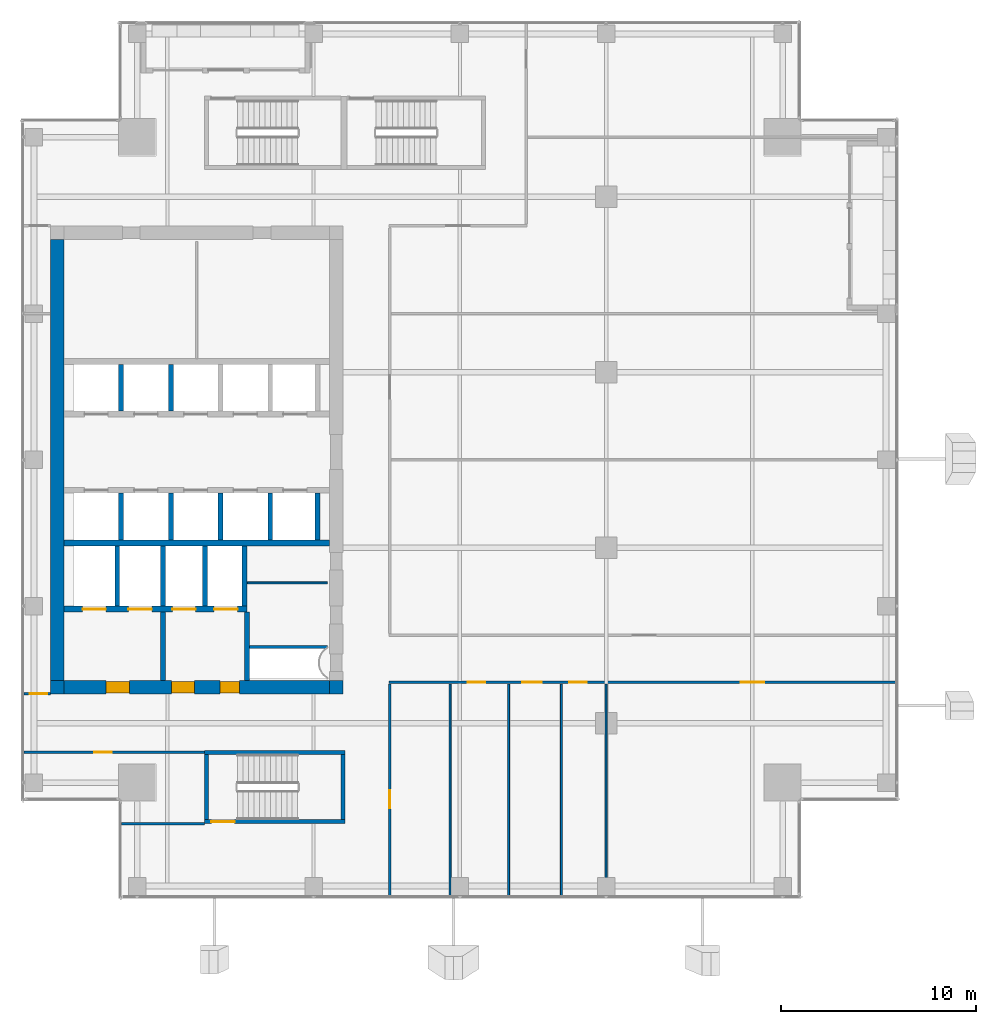
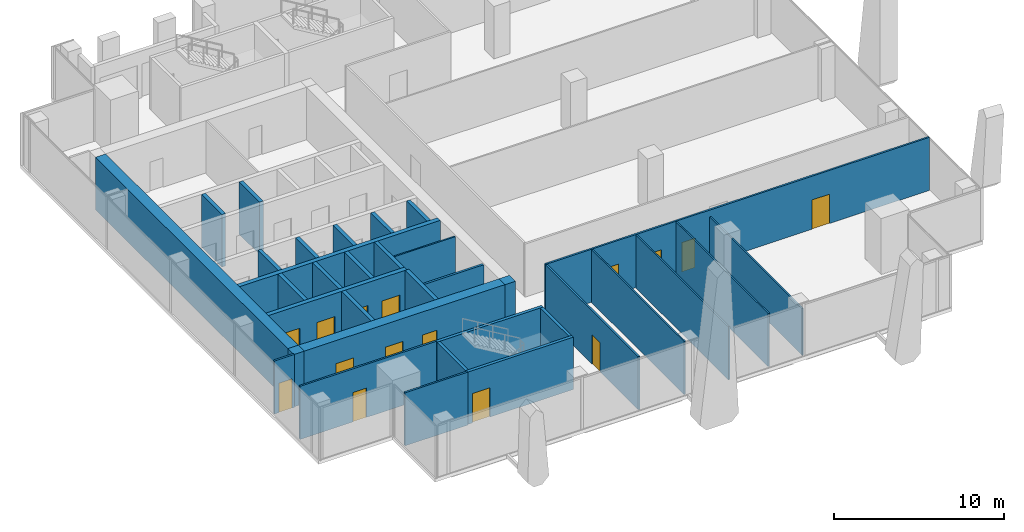
# One storey, part 30 of 35: 34 walls, 15 doors, 15 openings.
"""IFC4 building model written with IfcOpenShell, lengths in metres."""

from ifc_helpers import new_model, si_unit, direction, frame, frame_2d, origin, place, context, subcontext, project, spatial, rectangle, extrude, source, transform, mapped, material, layer, layer_set, type_object, element, fill, save


model = new_model("IFC4")

# Units and contexts
model_context = context("Model", 3, precision=1e-05, world=origin(), true_north=direction((0.0, 1.0)))
body_context = subcontext(model_context, "Body", "Model", "MODEL_VIEW")
ifc_project = project(units=[si_unit("LENGTHUNIT", "METRE"), si_unit("AREAUNIT", "SQUARE_METRE"), si_unit("VOLUMEUNIT", "CUBIC_METRE"), si_unit("PLANEANGLEUNIT", "RADIAN"), si_unit("MASSUNIT", "GRAM", prefix="KILO")], contexts=[model_context])

# Site, building, storey
site_placement = place(None, origin())
site = spatial("IfcSite", under=ifc_project, at=site_placement, CompositionType="ELEMENT")
building_placement = place(site_placement, origin())
building = spatial("IfcBuilding", under=site, at=building_placement, Name="Khomas Fold Tower", CompositionType="ELEMENT")
storey_placement = place(building_placement, frame((0.0, 0.0, 250.199951171875)))
storey = spatial("IfcBuildingStorey", under=building, at=storey_placement, Name="L56", CompositionType="ELEMENT", Elevation=250.199951171875)

# Wall
ifc_material_1 = material(Name="Concrete C50/60", Category="concrete")
ifc_layer_1 = layer(ifc_material_1, 0.199951171875)
ifc_layer_set_1 = layer_set([ifc_layer_1], Name="Concrete C50/60")
wall_type_1 = type_object("IfcWallType", Name="Stair wall 200", PredefinedType="SHEAR", material=ifc_layer_set_1)
shared_shape_1 = source(origin(), body_context, "Body", "SweptSolid", [
    extrude(rectangle(XDim=7.2001953125, YDim=0.199951171875, at=frame_2d((3.60009765625, 0.0))), origin(), (0.0, 0.0, 1.0), 3.75),
])
wall_1_placement = place(storey_placement, frame((13.89990234375, 12.0, 0.0), z_axis=(0.0, 0.0, 1.0), x_axis=(1.0, 0.0, 0.0)))
element("IfcWall", 1, at=wall_1_placement, inside=storey, type_object=wall_type_1, Name="Stair wall SW-ST2-NH", PredefinedType="SHEAR", context=body_context, shape_type="MappedRepresentation", body=[
    mapped(shared_shape_1, transform((0.0, 0.0, 0.0))),
])

# Wall, opening, door
wall_2_placement = place(storey_placement, frame((13.89990234375, 8.449951171875, 0.0), z_axis=(0.0, 0.0, 1.0), x_axis=(1.0, 0.0, 0.0)))
wall_2 = element("IfcWall", 2, at=wall_2_placement, inside=storey, type_object=wall_type_1, Name="Stair wall SW-ST2-S", PredefinedType="SHEAR", context=body_context, shape_type="MappedRepresentation", body=[
    mapped(shared_shape_1, transform((0.0, 0.0, 0.0))),
])
shared_shape_2 = source(origin(), body_context, "Body", "SweptSolid", [
    extrude(rectangle(XDim=1.199951171875, YDim=2.10009765625, at=frame_2d((0.60009765625, 1.050048828125))), frame((0.0, 0.10986328125, 0.0), z_axis=(0.0, -1.0, 0.0), x_axis=(1.0, 0.0, 0.0)), (0.0, 0.0, 1.0), 0.219970703125),
])
opening_1_placement = place(wall_2_placement, frame((0.35009765625, 0.0, 0.0)))
opening_1 = element("IfcOpeningElement", 3, at=opening_1_placement, cuts=wall_2, Name="Opening SD-ST2", PredefinedType="OPENING", context=body_context, shape_type="MappedRepresentation", body=[
    mapped(shared_shape_2, transform((0.0, 0.0, 0.0))),
])
ifc_material_2 = material(Name="Steel door leaf", Category="steel")
door_type_1 = type_object("IfcDoorType", Name="Stair door 1200x2100 right-hand", OperationType="SINGLE_SWING_RIGHT", PredefinedType="DOOR", material=ifc_material_2)
shared_shape_3 = source(origin(), body_context, "Body", "SweptSolid", [
    extrude(rectangle(XDim=1.199951171875, YDim=2.10009765625, at=frame_2d((0.60009765625, 1.050048828125))), frame((0.0, 0.02490234375, 0.0), z_axis=(0.0, -1.0, 0.0), x_axis=(1.0, 0.0, 0.0)), (0.0, 0.0, 1.0), 0.050048828125),
])
door_1_placement = place(opening_1_placement, origin())
door_1 = element("IfcDoor", 4, at=door_1_placement, inside=storey, type_object=door_type_1, Name="Stair door", OperationType="SINGLE_SWING_RIGHT", OverallHeight=2.10009765625, OverallWidth=1.199951171875, PredefinedType="DOOR", context=body_context, shape_type="MappedRepresentation", body=[
    mapped(shared_shape_3, transform((0.0, 0.0, 0.0))),
])
fill(opening_1, door_1)

# Walls
shared_shape_4 = source(origin(), body_context, "Body", "SweptSolid", [
    extrude(rectangle(XDim=3.349853515625, YDim=0.199951171875, at=frame_2d((1.6748046875, 0.0))), origin(), (0.0, 0.0, 1.0), 3.75),
])
for number, where, z_axis, x_axis, name in (
    (5, (21.0, 8.550048828125, 0.0), (0.0, 0.0, 1.0), (0.0, 1.0, 0.0), "Stair wall SW-ST2-E"),
    (6, (14.0, 8.550048828125, 0.0), (0.0, 0.0, 1.0), (0.0, 1.0, 0.0), "Stair wall SW-ST2-W"),
):
    element("IfcWall", number, at=place(storey_placement, frame(where, z_axis=z_axis, x_axis=x_axis)), inside=storey, type_object=wall_type_1, Name=name, PredefinedType="SHEAR", context=body_context, shape_type="MappedRepresentation", body=[
        mapped(shared_shape_4, transform((0.0, 0.0, 0.0))),
    ])
ifc_material_3 = material(Name="Concrete C50/60", Category="concrete")
ifc_layer_2 = layer(ifc_material_3, 0.25)
ifc_layer_set_2 = layer_set([ifc_layer_2], Name="Concrete C50/60")
wall_type_2 = type_object("IfcWallType", Name="Shaft wall 250", PredefinedType="STANDARD", material=ifc_layer_set_2)
shared_shape_5 = source(origin(), body_context, "Body", "SweptSolid", [
    extrude(rectangle(XDim=3.10009765625, YDim=0.25, at=frame_2d((1.550048828125, 0.0))), origin(), (0.0, 0.0, 1.0), 3.75),
])
for number, where, z_axis, x_axis, name in (
    (7, (9.425048828125, 19.5, 0.0), (0.0, 0.0, 1.0), (0.0, 1.0, 0.0), "Core wall SW-FS-P1"),
    (8, (11.77490234375, 19.5, 0.0), (0.0, 0.0, 1.0), (0.0, 1.0, 0.0), "Core wall SW-FS-P2"),
    (9, (13.925048828125, 19.5, 0.0), (0.0, 0.0, 1.0), (0.0, 1.0, 0.0), "Core wall SW-FS-P3"),
    (10, (15.949951171875, 19.5, 0.0), (0.0, 0.0, 1.0), (0.0, 1.0, 0.0), "Core wall SW-FS-PE"),
):
    element("IfcWall", number, at=place(storey_placement, frame(where, z_axis=z_axis, x_axis=x_axis)), inside=storey, type_object=wall_type_2, Name=name, PredefinedType="STANDARD", context=body_context, shape_type="MappedRepresentation", body=[
        mapped(shared_shape_5, transform((0.0, 0.0, 0.0))),
    ])
shared_shape_6 = source(origin(), body_context, "Body", "SweptSolid", [
    extrude(rectangle(XDim=2.39990234375, YDim=0.25, at=frame_2d((1.199951171875, 0.0))), origin(), (0.0, 0.0, 1.0), 3.75),
])
for number, where, z_axis, x_axis, name in (
    (11, (9.625, 29.5, 0.0), (0.0, 0.0, 1.0), (0.0, 1.0, 0.0), "Core wall SW-HRN-P1"),
    (12, (12.175048828125, 29.5, 0.0), (0.0, 0.0, 1.0), (0.0, 1.0, 0.0), "Core wall SW-HRN-P2"),
):
    element("IfcWall", number, at=place(storey_placement, frame(where, z_axis=z_axis, x_axis=x_axis)), inside=storey, type_object=wall_type_2, Name=name, PredefinedType="STANDARD", context=body_context, shape_type="MappedRepresentation", body=[
        mapped(shared_shape_6, transform((0.0, 0.0, 0.0))),
    ])
shared_shape_7 = source(origin(), body_context, "Body", "SweptSolid", [
    extrude(rectangle(XDim=2.400146484375, YDim=0.25, at=frame_2d((1.2001953125, 0.0))), origin(), (0.0, 0.0, 1.0), 3.75),
])
for number, where, z_axis, x_axis, name in (
    (13, (17.27490234375, 22.89990234375, 0.0), (0.0, 0.0, 1.0), (0.0, 1.0, 0.0), "Core wall SW-HRS-MR-P1"),
    (14, (19.699951171875, 22.89990234375, 0.0), (0.0, 0.0, 1.0), (0.0, 1.0, 0.0), "Core wall SW-HRS-MR-PE"),
    (15, (9.625, 22.89990234375, 0.0), (0.0, 0.0, 1.0), (0.0, 1.0, 0.0), "Core wall SW-HRS-P1"),
    (16, (12.175048828125, 22.89990234375, 0.0), (0.0, 0.0, 1.0), (0.0, 1.0, 0.0), "Core wall SW-HRS-P2"),
    (17, (14.72509765625, 22.89990234375, 0.0), (0.0, 0.0, 1.0), (0.0, 1.0, 0.0), "Core wall SW-HRS-PE"),
):
    element("IfcWall", number, at=place(storey_placement, frame(where, z_axis=z_axis, x_axis=x_axis)), inside=storey, type_object=wall_type_2, Name=name, PredefinedType="STANDARD", context=body_context, shape_type="MappedRepresentation", body=[
        mapped(shared_shape_7, transform((0.0, 0.0, 0.0))),
    ])

# Wall, openings, doors
ifc_material_4 = material(Name="Concrete C60/75", Category="concrete")
ifc_layer_3 = layer(ifc_material_4, 0.699951171875)
ifc_layer_set_3 = layer_set([ifc_layer_3], Name="Concrete C60/75")
wall_type_3 = type_object("IfcWallType", Name="Core wall 700", PredefinedType="SHEAR", material=ifc_layer_set_3)
shared_shape_8 = source(origin(), body_context, "Body", "SweptSolid", [
    extrude(rectangle(XDim=13.60009765625, YDim=0.699951171875, at=frame_2d((6.800048828125, 0.0))), origin(), (0.0, 0.0, 1.0), 3.75),
])
wall_3_placement = place(storey_placement, frame((6.699951171875, 15.35009765625, 0.0), z_axis=(0.0, 0.0, 1.0), x_axis=(1.0, 0.0, 0.0)))
wall_3 = element("IfcWall", 18, at=wall_3_placement, inside=storey, type_object=wall_type_3, Name="Core wall CW-U-S-L49", PredefinedType="SHEAR", context=body_context, shape_type="MappedRepresentation", body=[
    mapped(shared_shape_8, transform((0.0, 0.0, 0.0))),
])
shared_shape_9 = source(origin(), body_context, "Body", "SweptSolid", [
    extrude(rectangle(XDim=1.199951171875, YDim=2.10009765625, at=frame_2d((0.60009765625, 1.050048828125))), frame((0.0, 0.35986328125, 0.0), z_axis=(0.0, -1.0, 0.0), x_axis=(1.0, 0.0, 0.0)), (0.0, 0.0, 1.0), 0.719970703125),
])
opening_2_placement = place(wall_3_placement, frame((5.5, 0.0, 0.0)))
opening_2 = element("IfcOpeningElement", 19, at=opening_2_placement, cuts=wall_3, Name="Opening 0009", PredefinedType="OPENING", context=body_context, shape_type="MappedRepresentation", body=[
    mapped(shared_shape_9, transform((0.0, 0.0, 0.0))),
])
opening_3_placement = place(wall_3_placement, frame((2.14990234375, 0.0, 0.0)))
opening_3 = element("IfcOpeningElement", 20, at=opening_3_placement, cuts=wall_3, Name="Opening 0009", PredefinedType="OPENING", context=body_context, shape_type="MappedRepresentation", body=[
    mapped(shared_shape_9, transform((0.0, 0.0, 0.0))),
])
shared_shape_10 = source(origin(), body_context, "Body", "SweptSolid", [
    extrude(rectangle(XDim=1.0, YDim=2.10009765625, at=frame_2d((0.5, 1.050048828125))), frame((0.0, 0.35986328125, 0.0), z_axis=(0.0, -1.0, 0.0), x_axis=(1.0, 0.0, 0.0)), (0.0, 0.0, 1.0), 0.719970703125),
])
opening_4_placement = place(wall_3_placement, frame((8.0, 0.0, 0.0)))
opening_4 = element("IfcOpeningElement", 21, at=opening_4_placement, cuts=wall_3, Name="Opening 0010", PredefinedType="OPENING", context=body_context, shape_type="MappedRepresentation", body=[
    mapped(shared_shape_10, transform((0.0, 0.0, 0.0))),
])
ifc_material_5 = material(Name="Steel door leaf", Category="steel")
door_type_2 = type_object("IfcDoorType", Name="Lobby door 1200x2100 right-hand", OperationType="SINGLE_SWING_RIGHT", PredefinedType="DOOR", material=ifc_material_5)
shared_shape_11 = source(origin(), body_context, "Body", "SweptSolid", [
    extrude(rectangle(XDim=1.199951171875, YDim=2.10009765625, at=frame_2d((0.60009765625, 1.050048828125))), frame((0.0, 0.2998046875, 0.0), z_axis=(0.0, -1.0, 0.0), x_axis=(1.0, 0.0, 0.0)), (0.0, 0.0, 1.0), 0.599853515625),
])
door_2_placement = place(opening_2_placement, origin())
door_2 = element("IfcDoor", 22, at=door_2_placement, inside=storey, type_object=door_type_2, Name="Lobby door", OperationType="SINGLE_SWING_RIGHT", OverallHeight=2.10009765625, OverallWidth=1.199951171875, PredefinedType="DOOR", context=body_context, shape_type="MappedRepresentation", body=[
    mapped(shared_shape_11, transform((0.0, 0.0, 0.0))),
])
fill(opening_2, door_2)
door_3_placement = place(opening_3_placement, origin())
door_3 = element("IfcDoor", 23, at=door_3_placement, inside=storey, type_object=door_type_2, Name="Lobby door", OperationType="SINGLE_SWING_RIGHT", OverallHeight=2.10009765625, OverallWidth=1.199951171875, PredefinedType="DOOR", context=body_context, shape_type="MappedRepresentation", body=[
    mapped(shared_shape_11, transform((0.0, 0.0, 0.0))),
])
fill(opening_3, door_3)
ifc_material_6 = material(Name="Steel door leaf", Category="steel")
door_type_3 = type_object("IfcDoorType", Name="Stair door 1000x2100 right-hand", OperationType="SINGLE_SWING_RIGHT", PredefinedType="DOOR", material=ifc_material_6)
shared_shape_12 = source(origin(), body_context, "Body", "SweptSolid", [
    extrude(rectangle(XDim=1.0, YDim=2.10009765625, at=frame_2d((0.5, 1.050048828125))), frame((0.0, 0.2998046875, 0.0), z_axis=(0.0, -1.0, 0.0), x_axis=(1.0, 0.0, 0.0)), (0.0, 0.0, 1.0), 0.599853515625),
])
door_4_placement = place(opening_4_placement, origin())
door_4 = element("IfcDoor", 24, at=door_4_placement, inside=storey, type_object=door_type_3, Name="Stair door", OperationType="SINGLE_SWING_RIGHT", OverallHeight=2.10009765625, OverallWidth=1.0, PredefinedType="DOOR", context=body_context, shape_type="MappedRepresentation", body=[
    mapped(shared_shape_12, transform((0.0, 0.0, 0.0))),
])
fill(opening_4, door_4)

# Walls
ifc_material_7 = material(Name="Concrete C60/75", Category="concrete")
ifc_layer_4 = layer(ifc_material_7, 0.699951171875)
ifc_layer_set_4 = layer_set([ifc_layer_4], Name="Concrete C60/75")
wall_type_4 = type_object("IfcWallType", Name="Core corner wall 700", PredefinedType="SHEAR", material=ifc_layer_set_4)
shared_shape_13 = source(origin(), body_context, "Body", "SweptSolid", [
    extrude(rectangle(XDim=0.699951171875, YDim=0.699951171875, at=frame_2d((0.35009765625, 0.0))), origin(), (0.0, 0.0, 1.0), 3.75),
])
for number, where, z_axis, x_axis, name in (
    (25, (20.300048828125, 15.35009765625, 0.0), (0.0, 0.0, 1.0), (1.0, 0.0, 0.0), "Core wall CW-U-SE-L49"),
    (26, (6.0, 15.35009765625, 0.0), (0.0, 0.0, 1.0), (1.0, 0.0, 0.0), "Core wall CW-U-SW-L49"),
):
    element("IfcWall", number, at=place(storey_placement, frame(where, z_axis=z_axis, x_axis=x_axis)), inside=storey, type_object=wall_type_4, Name=name, PredefinedType="SHEAR", context=body_context, shape_type="MappedRepresentation", body=[
        mapped(shared_shape_13, transform((0.0, 0.0, 0.0))),
    ])
shared_shape_14 = source(origin(), body_context, "Body", "SweptSolid", [
    extrude(rectangle(XDim=22.60009765625, YDim=0.699951171875, at=frame_2d((11.300048828125, 0.0))), origin(), (0.0, 0.0, 1.0), 3.75),
])
wall_4_placement = place(storey_placement, frame((6.35009765625, 15.699951171875, 0.0), z_axis=(0.0, 0.0, 1.0), x_axis=(0.0, 1.0, 0.0)))
element("IfcWall", 27, at=wall_4_placement, inside=storey, type_object=wall_type_3, Name="Core wall CW-U-W-L49", PredefinedType="SHEAR", context=body_context, shape_type="MappedRepresentation", body=[
    mapped(shared_shape_14, transform((0.0, 0.0, 0.0))),
])
ifc_material_8 = material(Name="Concrete C50/60", Category="concrete")
ifc_layer_5 = layer(ifc_material_8, 0.300048828125)
ifc_layer_set_5 = layer_set([ifc_layer_5], Name="Concrete C50/60")
wall_type_5 = type_object("IfcWallType", Name="Shaft wall 300", PredefinedType="STANDARD", material=ifc_layer_set_5)
shared_shape_15 = source(origin(), body_context, "Body", "SweptSolid", [
    extrude(rectangle(XDim=13.60009765625, YDim=0.300048828125, at=frame_2d((6.800048828125, 0.0))), origin(), (0.0, 0.0, 1.0), 3.75),
])
wall_5_placement = place(storey_placement, frame((6.699951171875, 22.75, 0.0), z_axis=(0.0, 0.0, 1.0), x_axis=(1.0, 0.0, 0.0)))
element("IfcWall", 28, at=wall_5_placement, inside=storey, type_object=wall_type_5, Name="Core wall SW-FS-B", PredefinedType="STANDARD", context=body_context, shape_type="MappedRepresentation", body=[
    mapped(shared_shape_15, transform((0.0, 0.0, 0.0))),
])

# Wall, openings, doors
shared_shape_16 = source(origin(), body_context, "Body", "SweptSolid", [
    extrude(rectangle(XDim=9.375, YDim=0.300048828125, at=frame_2d((4.6875, 0.0))), origin(), (0.0, 0.0, 1.0), 3.75),
])
wall_6_placement = place(storey_placement, frame((6.699951171875, 19.35009765625, 0.0), z_axis=(0.0, 0.0, 1.0), x_axis=(1.0, 0.0, 0.0)))
wall_6 = element("IfcWall", 29, at=wall_6_placement, inside=storey, type_object=wall_type_5, Name="Core wall SW-FS-F", PredefinedType="STANDARD", context=body_context, shape_type="MappedRepresentation", body=[
    mapped(shared_shape_16, transform((0.0, 0.0, 0.0))),
])
shared_shape_17 = source(origin(), body_context, "Body", "SweptSolid", [
    extrude(rectangle(XDim=1.199951171875, YDim=2.10009765625, at=frame_2d((0.60009765625, 1.050048828125))), frame((0.0, 0.159912109375, 0.0), z_axis=(0.0, -1.0, 0.0), x_axis=(1.0, 0.0, 0.0)), (0.0, 0.0, 1.0), 0.320068359375),
])
opening_5_placement = place(wall_6_placement, frame((0.949951171875, 0.0, 0.0)))
opening_5 = element("IfcOpeningElement", 30, at=opening_5_placement, cuts=wall_6, Name="Opening LD-SV1", PredefinedType="OPENING", context=body_context, shape_type="MappedRepresentation", body=[
    mapped(shared_shape_17, transform((0.0, 0.0, 0.0))),
])
opening_6_placement = place(wall_6_placement, frame((3.300048828125, 0.0, 0.0)))
opening_6 = element("IfcOpeningElement", 31, at=opening_6_placement, cuts=wall_6, Name="Opening LD-SV2", PredefinedType="OPENING", context=body_context, shape_type="MappedRepresentation", body=[
    mapped(shared_shape_17, transform((0.0, 0.0, 0.0))),
])
opening_7_placement = place(wall_6_placement, frame((5.550048828125, 0.0, 0.0)))
opening_7 = element("IfcOpeningElement", 32, at=opening_7_placement, cuts=wall_6, Name="Opening LD-FF1", PredefinedType="OPENING", context=body_context, shape_type="MappedRepresentation", body=[
    mapped(shared_shape_17, transform((0.0, 0.0, 0.0))),
])
opening_8_placement = place(wall_6_placement, frame((7.699951171875, 0.0, 0.0)))
opening_8 = element("IfcOpeningElement", 33, at=opening_8_placement, cuts=wall_6, Name="Opening LD-FF2", PredefinedType="OPENING", context=body_context, shape_type="MappedRepresentation", body=[
    mapped(shared_shape_17, transform((0.0, 0.0, 0.0))),
])
ifc_material_9 = material(Name="Steel door leaf", Category="steel")
door_type_4 = type_object("IfcDoorType", Name="Landing door 1200x2100", OperationType="DOUBLE_DOOR_SLIDING", PredefinedType="DOOR", material=ifc_material_9)
door_5_placement = place(opening_5_placement, origin())
door_5 = element("IfcDoor", 34, at=door_5_placement, inside=storey, type_object=door_type_4, Name="Lift landing door", OperationType="DOUBLE_DOOR_SLIDING", OverallHeight=2.10009765625, OverallWidth=1.199951171875, PredefinedType="DOOR", context=body_context, shape_type="MappedRepresentation", body=[
    mapped(shared_shape_3, transform((0.0, 0.0, 0.0))),
])
fill(opening_5, door_5)
door_6_placement = place(opening_6_placement, origin())
door_6 = element("IfcDoor", 35, at=door_6_placement, inside=storey, type_object=door_type_4, Name="Lift landing door", OperationType="DOUBLE_DOOR_SLIDING", OverallHeight=2.10009765625, OverallWidth=1.199951171875, PredefinedType="DOOR", context=body_context, shape_type="MappedRepresentation", body=[
    mapped(shared_shape_3, transform((0.0, 0.0, 0.0))),
])
fill(opening_6, door_6)
door_7_placement = place(opening_7_placement, origin())
door_7 = element("IfcDoor", 36, at=door_7_placement, inside=storey, type_object=door_type_4, Name="Lift landing door", OperationType="DOUBLE_DOOR_SLIDING", OverallHeight=2.10009765625, OverallWidth=1.199951171875, PredefinedType="DOOR", context=body_context, shape_type="MappedRepresentation", body=[
    mapped(shared_shape_3, transform((0.0, 0.0, 0.0))),
])
fill(opening_7, door_7)
door_8_placement = place(opening_8_placement, origin())
door_8 = element("IfcDoor", 37, at=door_8_placement, inside=storey, type_object=door_type_4, Name="Lift landing door", OperationType="DOUBLE_DOOR_SLIDING", OverallHeight=2.10009765625, OverallWidth=1.199951171875, PredefinedType="DOOR", context=body_context, shape_type="MappedRepresentation", body=[
    mapped(shared_shape_3, transform((0.0, 0.0, 0.0))),
])
fill(opening_8, door_8)

# Walls
ifc_material_10 = material(Name="Concrete C50/60", Category="concrete")
ifc_layer_6 = layer(ifc_material_10, 0.25)
ifc_layer_set_6 = layer_set([ifc_layer_6], Name="Concrete C50/60")
wall_type_6 = type_object("IfcWallType", Name="Lobby wall 250", PredefinedType="STANDARD", material=ifc_layer_set_6)
shared_shape_18 = source(origin(), body_context, "Body", "SweptSolid", [
    extrude(rectangle(XDim=3.5, YDim=0.25, at=frame_2d((1.75, 0.0))), origin(), (0.0, 0.0, 1.0), 3.75),
])
for number, where, z_axis, x_axis, name in (
    (38, (16.074951171875, 15.699951171875, 0.0), (0.0, 0.0, 1.0), (0.0, 1.0, 0.0), "Core wall SW-FS-LOB-E"),
    (39, (11.77490234375, 15.699951171875, 0.0), (0.0, 0.0, 1.0), (0.0, 1.0, 0.0), "Core wall SW-FS-SEP"),
):
    element("IfcWall", number, at=place(storey_placement, frame(where, z_axis=z_axis, x_axis=x_axis)), inside=storey, type_object=wall_type_6, Name=name, PredefinedType="STANDARD", context=body_context, shape_type="MappedRepresentation", body=[
        mapped(shared_shape_18, transform((0.0, 0.0, 0.0))),
    ])
ifc_material_11 = material(Name="Plasterboard fire partition")
ifc_layer_7 = layer(ifc_material_11, 0.14990234375)
ifc_layer_set_7 = layer_set([ifc_layer_7], Name="Plasterboard fire partition")
wall_type_7 = type_object("IfcWallType", Name="Plant room wall PW3 150", PredefinedType="PARTITIONING", material=ifc_layer_set_7)
shared_shape_19 = source(origin(), body_context, "Body", "SweptSolid", [
    extrude(rectangle(XDim=4.0, YDim=0.14990234375, at=frame_2d((2.0, 0.0))), origin(), (0.0, 0.0, 1.0), 3.800048828125),
])
wall_7_placement = place(storey_placement, frame((16.199951171875, 17.39990234375, 0.0), z_axis=(0.0, 0.0, 1.0), x_axis=(1.0, 0.0, 0.0)))
element("IfcWall", 40, at=wall_7_placement, inside=storey, type_object=wall_type_7, Name="Plant room wall", PredefinedType="PARTITIONING", context=body_context, shape_type="MappedRepresentation", body=[
    mapped(shared_shape_19, transform((0.0, 0.0, 0.0))),
])
ifc_material_12 = material(Name="Plasterboard partition")
ifc_layer_8 = layer(ifc_material_12, 0.10009765625)
ifc_layer_set_8 = layer_set([ifc_layer_8], Name="Plasterboard partition")
wall_type_8 = type_object("IfcWallType", Name="Partition PW1 100", PredefinedType="PARTITIONING", material=ifc_layer_set_8)
shared_shape_20 = source(origin(), body_context, "Body", "SweptSolid", [
    extrude(rectangle(XDim=4.099853515625, YDim=0.10009765625, at=frame_2d((2.0498046875, 0.0))), origin(), (0.0, 0.0, 1.0), 3.800048828125),
])
wall_8_placement = place(storey_placement, frame((16.10009765625, 20.699951171875, 0.0), z_axis=(0.0, 0.0, 1.0), x_axis=(1.0, 0.0, 0.0)))
element("IfcWall", 41, at=wall_8_placement, inside=storey, type_object=wall_type_8, Name="Partition", PredefinedType="PARTITIONING", context=body_context, shape_type="MappedRepresentation", body=[
    mapped(shared_shape_20, transform((0.0, 0.0, 0.0))),
])

# Wall, opening, door
ifc_material_13 = material(Name="Plasterboard partition")
ifc_layer_9 = layer(ifc_material_13, 0.125)
ifc_layer_set_9 = layer_set([ifc_layer_9], Name="Plasterboard partition")
wall_type_9 = type_object("IfcWallType", Name="Partition PW2 125", PredefinedType="PARTITIONING", material=ifc_layer_set_9)
shared_shape_21 = source(origin(), body_context, "Body", "SweptSolid", [
    extrude(rectangle(XDim=9.25, YDim=0.125, at=frame_2d((4.625, 0.0))), origin(), (0.0, 0.0, 1.0), 3.800048828125),
])
wall_9_placement = place(storey_placement, frame((4.64990234375, 12.0, 0.0), z_axis=(0.0, 0.0, 1.0), x_axis=(1.0, 0.0, 0.0)))
wall_9 = element("IfcWall", 42, at=wall_9_placement, inside=storey, type_object=wall_type_9, Name="Partition", PredefinedType="PARTITIONING", context=body_context, shape_type="MappedRepresentation", body=[
    mapped(shared_shape_21, transform((0.0, 0.0, 0.0))),
])
shared_shape_22 = source(origin(), body_context, "Body", "SweptSolid", [
    extrude(rectangle(XDim=0.89990234375, YDim=2.10009765625, at=frame_2d((0.449951171875, 1.050048828125))), frame((0.0, 0.072509765625, 0.0), z_axis=(0.0, -1.0, 0.0), x_axis=(1.0, 0.0, 0.0)), (0.0, 0.0, 1.0), 0.14501953125),
])
opening_9_placement = place(wall_9_placement, frame((3.60009765625, 0.0, 0.0)))
opening_9 = element("IfcOpeningElement", 43, at=opening_9_placement, cuts=wall_9, Name="Opening 0007", PredefinedType="OPENING", context=body_context, shape_type="MappedRepresentation", body=[
    mapped(shared_shape_22, transform((0.0, 0.0, 0.0))),
])
ifc_material_14 = material(Name="Timber door leaf", Category="wood")
door_type_5 = type_object("IfcDoorType", Name="Door 900x2100 left-hand", OperationType="SINGLE_SWING_LEFT", PredefinedType="DOOR", material=ifc_material_14)
shared_shape_23 = source(origin(), body_context, "Body", "SweptSolid", [
    extrude(rectangle(XDim=0.89990234375, YDim=2.10009765625, at=frame_2d((0.449951171875, 1.050048828125))), frame((0.0, 0.02490234375, 0.0), z_axis=(0.0, -1.0, 0.0), x_axis=(1.0, 0.0, 0.0)), (0.0, 0.0, 1.0), 0.050048828125),
])
door_9_placement = place(opening_9_placement, origin())
door_9 = element("IfcDoor", 44, at=door_9_placement, inside=storey, type_object=door_type_5, Name="Door", OperationType="SINGLE_SWING_LEFT", OverallHeight=2.10009765625, OverallWidth=0.89990234375, PredefinedType="DOOR", context=body_context, shape_type="MappedRepresentation", body=[
    mapped(shared_shape_23, transform((0.0, 0.0, 0.0))),
])
fill(opening_9, door_9)

shared_shape_24 = source(origin(), body_context, "Body", "SweptSolid", [
    extrude(rectangle(XDim=10.85009765625, YDim=0.125, at=frame_2d((5.425048828125, 0.0))), origin(), (0.0, 0.0, 1.0), 3.800048828125),
])
wall_10_placement = place(storey_placement, frame((23.39990234375, 4.64990234375, 0.0), z_axis=(0.0, 0.0, 1.0), x_axis=(0.0, 1.0, 0.0)))
wall_10 = element("IfcWall", 45, at=wall_10_placement, inside=storey, type_object=wall_type_9, Name="Partition", PredefinedType="PARTITIONING", context=body_context, shape_type="MappedRepresentation", body=[
    mapped(shared_shape_24, transform((0.0, 0.0, 0.0))),
])
opening_10_placement = place(wall_10_placement, frame((4.5, 0.0, 0.0)))
opening_10 = element("IfcOpeningElement", 46, at=opening_10_placement, cuts=wall_10, Name="Opening 0005", PredefinedType="OPENING", context=body_context, shape_type="MappedRepresentation", body=[
    mapped(shared_shape_22, transform((0.0, 0.0, 0.0))),
])
ifc_material_15 = material(Name="Timber door leaf", Category="wood")
door_type_6 = type_object("IfcDoorType", Name="WC door 900x2100 left-hand", OperationType="SINGLE_SWING_LEFT", PredefinedType="DOOR", material=ifc_material_15)
door_10_placement = place(opening_10_placement, origin())
door_10 = element("IfcDoor", 47, at=door_10_placement, inside=storey, type_object=door_type_6, Name="WC door", OperationType="SINGLE_SWING_LEFT", OverallHeight=2.10009765625, OverallWidth=0.89990234375, PredefinedType="DOOR", context=body_context, shape_type="MappedRepresentation", body=[
    mapped(shared_shape_23, transform((0.0, 0.0, 0.0))),
])
fill(opening_10, door_10)

# Walls
shared_shape_25 = source(origin(), body_context, "Body", "SweptSolid", [
    extrude(rectangle(XDim=10.85009765625, YDim=0.10009765625, at=frame_2d((5.425048828125, 0.0))), origin(), (0.0, 0.0, 1.0), 3.800048828125),
])
for number, where, z_axis, x_axis, name in (
    (48, (26.5, 4.64990234375, 0.0), (0.0, 0.0, 1.0), (0.0, 1.0, 0.0), "Partition"),
    (49, (29.5, 4.64990234375, 0.0), (0.0, 0.0, 1.0), (0.0, 1.0, 0.0), "Partition"),
    (50, (32.199951171875, 4.64990234375, 0.0), (0.0, 0.0, 1.0), (0.0, 1.0, 0.0), "Partition"),
):
    element("IfcWall", number, at=place(storey_placement, frame(where, z_axis=z_axis, x_axis=x_axis)), inside=storey, type_object=wall_type_8, Name=name, PredefinedType="PARTITIONING", context=body_context, shape_type="MappedRepresentation", body=[
        mapped(shared_shape_25, transform((0.0, 0.0, 0.0))),
    ])
shared_shape_26 = source(origin(), body_context, "Body", "SweptSolid", [
    extrude(rectangle(XDim=10.85009765625, YDim=0.10009765625, at=frame_2d((5.425048828125, 0.0))), origin(), (0.0, 0.0, 1.0), 3.35009765625),
])
wall_11_placement = place(storey_placement, frame((34.5, 4.64990234375, 0.0), z_axis=(0.0, 0.0, 1.0), x_axis=(0.0, 1.0, 0.0)))
element("IfcWall", 51, at=wall_11_placement, inside=storey, type_object=wall_type_8, Name="Partition", PredefinedType="PARTITIONING", context=body_context, shape_type="MappedRepresentation", body=[
    mapped(shared_shape_26, transform((0.0, 0.0, 0.0))),
])
shared_shape_27 = source(origin(), body_context, "Body", "SweptSolid", [
    extrude(rectangle(XDim=4.25, YDim=0.125, at=frame_2d((2.125, 0.0))), origin(), (0.0, 0.0, 1.0), 3.800048828125),
])
wall_12_placement = place(storey_placement, frame((9.64990234375, 8.35009765625, 0.0), z_axis=(0.0, 0.0, 1.0), x_axis=(1.0, 0.0, 0.0)))
element("IfcWall", 52, at=wall_12_placement, inside=storey, type_object=wall_type_9, Name="Partition", PredefinedType="PARTITIONING", context=body_context, shape_type="MappedRepresentation", body=[
    mapped(shared_shape_27, transform((0.0, 0.0, 0.0))),
])

# Wall, opening, door
shared_shape_28 = source(origin(), body_context, "Body", "SweptSolid", [
    extrude(rectangle(XDim=1.35009765625, YDim=0.125, at=frame_2d((0.675048828125, 0.0))), origin(), (0.0, 0.0, 1.0), 3.800048828125),
])
wall_13_placement = place(storey_placement, frame((4.64990234375, 15.0, 0.0), z_axis=(0.0, 0.0, 1.0), x_axis=(1.0, 0.0, 0.0)))
wall_13 = element("IfcWall", 53, at=wall_13_placement, inside=storey, type_object=wall_type_9, Name="Partition", PredefinedType="PARTITIONING", context=body_context, shape_type="MappedRepresentation", body=[
    mapped(shared_shape_28, transform((0.0, 0.0, 0.0))),
])
opening_11_placement = place(wall_13_placement, frame((0.300048828125, 0.0, 0.0)))
opening_11 = element("IfcOpeningElement", 54, at=opening_11_placement, cuts=wall_13, Name="Opening 0007", PredefinedType="OPENING", context=body_context, shape_type="MappedRepresentation", body=[
    mapped(shared_shape_22, transform((0.0, 0.0, 0.0))),
])
door_11_placement = place(opening_11_placement, origin())
door_11 = element("IfcDoor", 55, at=door_11_placement, inside=storey, type_object=door_type_5, Name="Door", OperationType="SINGLE_SWING_LEFT", OverallHeight=2.10009765625, OverallWidth=0.89990234375, PredefinedType="DOOR", context=body_context, shape_type="MappedRepresentation", body=[
    mapped(shared_shape_23, transform((0.0, 0.0, 0.0))),
])
fill(opening_11, door_11)

# Wall, openings, doors
shared_shape_29 = source(origin(), body_context, "Body", "SweptSolid", [
    extrude(rectangle(XDim=26.0, YDim=0.125, at=frame_2d((13.0, 0.0))), origin(), (0.0, 0.0, 1.0), 3.800048828125),
])
wall_14_placement = place(storey_placement, frame((23.35009765625, 15.60009765625, 0.0), z_axis=(0.0, 0.0, 1.0), x_axis=(1.0, 0.0, 0.0)))
wall_14 = element("IfcWall", 56, at=wall_14_placement, inside=storey, type_object=wall_type_9, Name="Partition", PredefinedType="PARTITIONING", context=body_context, shape_type="MappedRepresentation", body=[
    mapped(shared_shape_29, transform((0.0, 0.0, 0.0))),
])
opening_12_placement = place(wall_14_placement, frame((4.050048828125, 0.0, 0.0)))
opening_12 = element("IfcOpeningElement", 57, at=opening_12_placement, cuts=wall_14, Name="Opening 0005", PredefinedType="OPENING", context=body_context, shape_type="MappedRepresentation", body=[
    mapped(shared_shape_22, transform((0.0, 0.0, 0.0))),
])
shared_shape_30 = source(origin(), body_context, "Body", "SweptSolid", [
    extrude(rectangle(XDim=1.0, YDim=2.10009765625, at=frame_2d((0.5, 1.050048828125))), frame((0.0, 0.072509765625, 0.0), z_axis=(0.0, -1.0, 0.0), x_axis=(1.0, 0.0, 0.0)), (0.0, 0.0, 1.0), 0.14501953125),
])
opening_13_placement = place(wall_14_placement, frame((6.85009765625, 0.0, 0.0)))
opening_13 = element("IfcOpeningElement", 58, at=opening_13_placement, cuts=wall_14, Name="Opening 0014", PredefinedType="OPENING", context=body_context, shape_type="MappedRepresentation", body=[
    mapped(shared_shape_30, transform((0.0, 0.0, 0.0))),
])
opening_14_placement = place(wall_14_placement, frame((9.25, 0.0, 0.0)))
opening_14 = element("IfcOpeningElement", 59, at=opening_14_placement, cuts=wall_14, Name="Opening 0007", PredefinedType="OPENING", context=body_context, shape_type="MappedRepresentation", body=[
    mapped(shared_shape_22, transform((0.0, 0.0, 0.0))),
])
shared_shape_31 = source(origin(), body_context, "Body", "SweptSolid", [
    extrude(rectangle(XDim=1.199951171875, YDim=2.10009765625, at=frame_2d((0.60009765625, 1.050048828125))), frame((0.0, 0.072509765625, 0.0), z_axis=(0.0, -1.0, 0.0), x_axis=(1.0, 0.0, 0.0)), (0.0, 0.0, 1.0), 0.14501953125),
])
opening_15_placement = place(wall_14_placement, frame((18.050048828125, 0.0, 0.0)))
opening_15 = element("IfcOpeningElement", 60, at=opening_15_placement, cuts=wall_14, Name="Opening 0001", PredefinedType="OPENING", context=body_context, shape_type="MappedRepresentation", body=[
    mapped(shared_shape_31, transform((0.0, 0.0, 0.0))),
])
door_12_placement = place(opening_12_placement, origin())
door_12 = element("IfcDoor", 61, at=door_12_placement, inside=storey, type_object=door_type_6, Name="WC door", OperationType="SINGLE_SWING_LEFT", OverallHeight=2.10009765625, OverallWidth=0.89990234375, PredefinedType="DOOR", context=body_context, shape_type="MappedRepresentation", body=[
    mapped(shared_shape_23, transform((0.0, 0.0, 0.0))),
])
fill(opening_12, door_12)
door_13_placement = place(opening_14_placement, origin())
door_13 = element("IfcDoor", 62, at=door_13_placement, inside=storey, type_object=door_type_5, Name="Door", OperationType="SINGLE_SWING_LEFT", OverallHeight=2.10009765625, OverallWidth=0.89990234375, PredefinedType="DOOR", context=body_context, shape_type="MappedRepresentation", body=[
    mapped(shared_shape_23, transform((0.0, 0.0, 0.0))),
])
fill(opening_14, door_13)
ifc_material_16 = material(Name="Timber door leaf", Category="wood")
door_type_7 = type_object("IfcDoorType", Name="WC door 1000x2100 left-hand", OperationType="SINGLE_SWING_LEFT", PredefinedType="DOOR", material=ifc_material_16)
shared_shape_32 = source(origin(), body_context, "Body", "SweptSolid", [
    extrude(rectangle(XDim=1.0, YDim=2.10009765625, at=frame_2d((0.5, 1.050048828125))), frame((0.0, 0.02490234375, 0.0), z_axis=(0.0, -1.0, 0.0), x_axis=(1.0, 0.0, 0.0)), (0.0, 0.0, 1.0), 0.050048828125),
])
door_14_placement = place(opening_13_placement, origin())
door_14 = element("IfcDoor", 63, at=door_14_placement, inside=storey, type_object=door_type_7, Name="WC door", OperationType="SINGLE_SWING_LEFT", OverallHeight=2.10009765625, OverallWidth=1.0, PredefinedType="DOOR", context=body_context, shape_type="MappedRepresentation", body=[
    mapped(shared_shape_32, transform((0.0, 0.0, 0.0))),
])
fill(opening_13, door_14)
ifc_material_17 = material(Name="Timber door leaf", Category="wood")
door_type_8 = type_object("IfcDoorType", Name="Door 1200x2100 right-hand", OperationType="SINGLE_SWING_RIGHT", PredefinedType="DOOR", material=ifc_material_17)
door_15_placement = place(opening_15_placement, origin())
door_15 = element("IfcDoor", 64, at=door_15_placement, inside=storey, type_object=door_type_8, Name="Door", OperationType="SINGLE_SWING_RIGHT", OverallHeight=2.10009765625, OverallWidth=1.199951171875, PredefinedType="DOOR", context=body_context, shape_type="MappedRepresentation", body=[
    mapped(shared_shape_3, transform((0.0, 0.0, 0.0))),
])
fill(opening_15, door_15)

save(model, "model.ifc")
